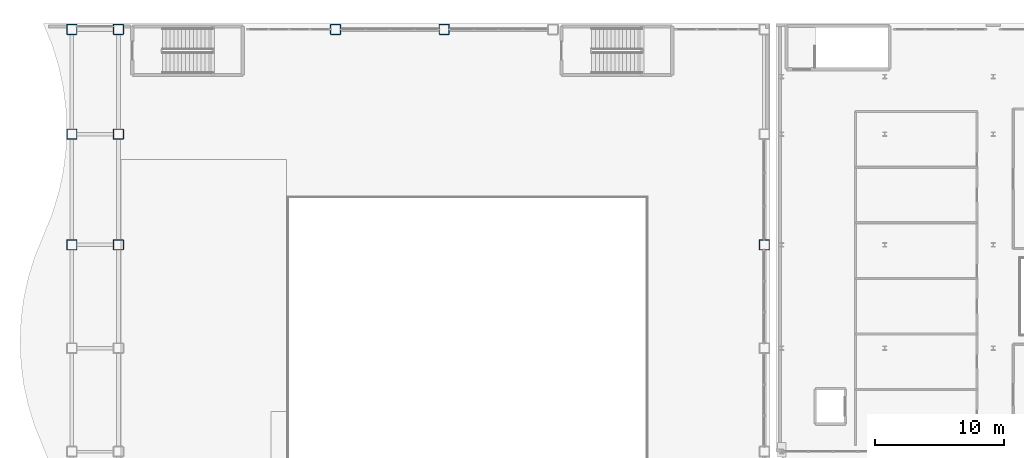
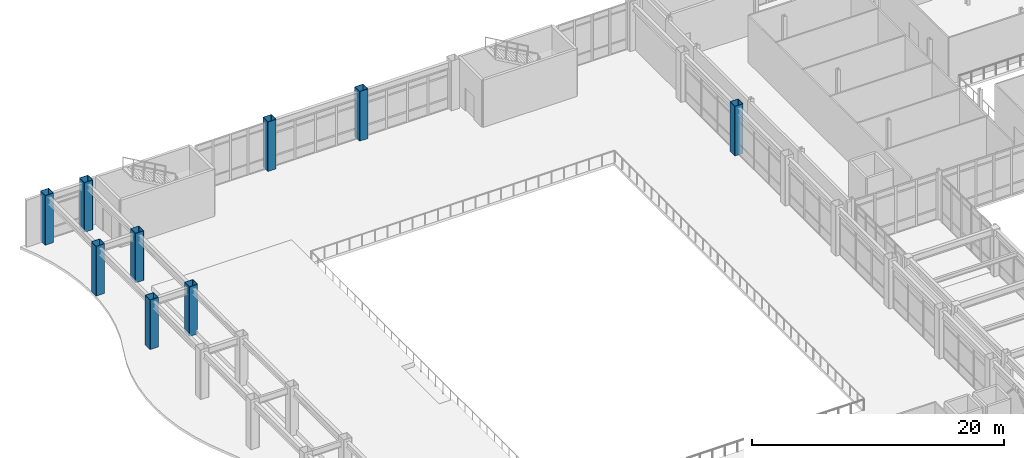
# One storey, part 8 of 154: 9 columns.
"""IFC4 building model written with IfcOpenShell, lengths in metres."""

from ifc_helpers import new_model, si_unit, direction, frame, origin, origin_2d, place, context, subcontext, project, spatial, hollow_rectangle, extrude, material, material_profile, profile_set, type_object, element, save


model = new_model("IFC4")

# Units and contexts
model_context = context("Model", 3, precision=1e-05, world=origin(), true_north=direction((0.0, 1.0)))
body_context = subcontext(model_context, "Body", "Model", "MODEL_VIEW")
ifc_project = project(units=[si_unit("LENGTHUNIT", "METRE"), si_unit("AREAUNIT", "SQUARE_METRE"), si_unit("VOLUMEUNIT", "CUBIC_METRE"), si_unit("PLANEANGLEUNIT", "RADIAN"), si_unit("MASSUNIT", "GRAM", prefix="KILO")], contexts=[model_context])

# Site, building, storey
site_placement = place(None, origin())
site = spatial("IfcSite", under=ifc_project, at=site_placement, CompositionType="ELEMENT")
building_placement = place(site_placement, origin())
building = spatial("IfcBuilding", under=site, at=building_placement, Name="Kazehara Bluff Congress Hotel", CompositionType="ELEMENT")
storey_placement = place(building_placement, frame((0.0, 0.0, 10.199951171875)))
storey = spatial("IfcBuildingStorey", under=building, at=storey_placement, Name="L02", CompositionType="ELEMENT", Elevation=10.199951171875)

# Columns
ifc_material = material(Name="Steel BCR295", Category="steel")
ifc_material_profile = material_profile(ifc_material, hollow_rectangle(XDim=0.800048828125, YDim=0.800048828125, WallThickness=0.031982421875, InnerFilletRadius=0.031982421875, OuterFilletRadius=0.06396484375, at=origin_2d()))
ifc_profile_set = profile_set([ifc_material_profile], Name="Steel BCR295")
column_type = type_object("IfcColumnType", Name="TP-C-02", PredefinedType="COLUMN", material=ifc_profile_set)
for number, where, z_axis, x_axis, name in (
    (1, (4.800048828125, 96.89990234375, 0.0), (0.0, 0.0, 1.0), (1.0, 0.0, 0.0), "L02 column C-02 (4.80,96.90)"),
    (2, (4.800048828125, 105.449951171875, 0.0), (0.0, 0.0, 1.0), (1.0, 0.0, 0.0), "L02 column C-02 (4.80,105.45)"),
    (3, (4.800048828125, 113.550048828125, 0.0), (0.0, 0.0, 1.0), (1.0, 0.0, 0.0), "L02 column C-02 (4.80,113.55)"),
    (4, (8.39990234375, 96.89990234375, 0.0), (0.0, 0.0, 1.0), (1.0, 0.0, 0.0), "L02 column C-02 (8.40,96.90)"),
    (5, (8.39990234375, 105.449951171875, 0.0), (0.0, 0.0, 1.0), (1.0, 0.0, 0.0), "L02 column C-02 (8.40,105.45)"),
    (6, (8.39990234375, 113.550048828125, 0.0), (0.0, 0.0, 1.0), (1.0, 0.0, 0.0), "L02 column C-02 (8.40,113.55)"),
    (7, (25.199951171875, 113.550048828125, 0.0), (0.0, 0.0, 1.0), (1.0, 0.0, 0.0), "L02 column C-02 (25.20,113.55)"),
    (8, (33.60009765625, 113.550048828125, 0.0), (0.0, 0.0, 1.0), (1.0, 0.0, 0.0), "L02 column C-02 (33.60,113.55)"),
    (9, (58.35009765625, 96.89990234375, 0.0), (0.0, 0.0, 1.0), (1.0, 0.0, 0.0), "L02 column C-02 (58.35,96.90)"),
):
    element("IfcColumn", number, at=place(storey_placement, frame(where, z_axis=z_axis, x_axis=x_axis)), inside=storey, type_object=column_type, Name=name, PredefinedType="COLUMN", context=body_context, shape_type="SweptSolid", body=[
        extrude(hollow_rectangle(XDim=0.800048828125, YDim=0.800048828125, WallThickness=0.031982421875, InnerFilletRadius=0.031982421875, OuterFilletRadius=0.06396484375, at=origin_2d()), origin(), (0.0, 0.0, 1.0), 4.800048828125),
    ])

save(model, "model.ifc")
